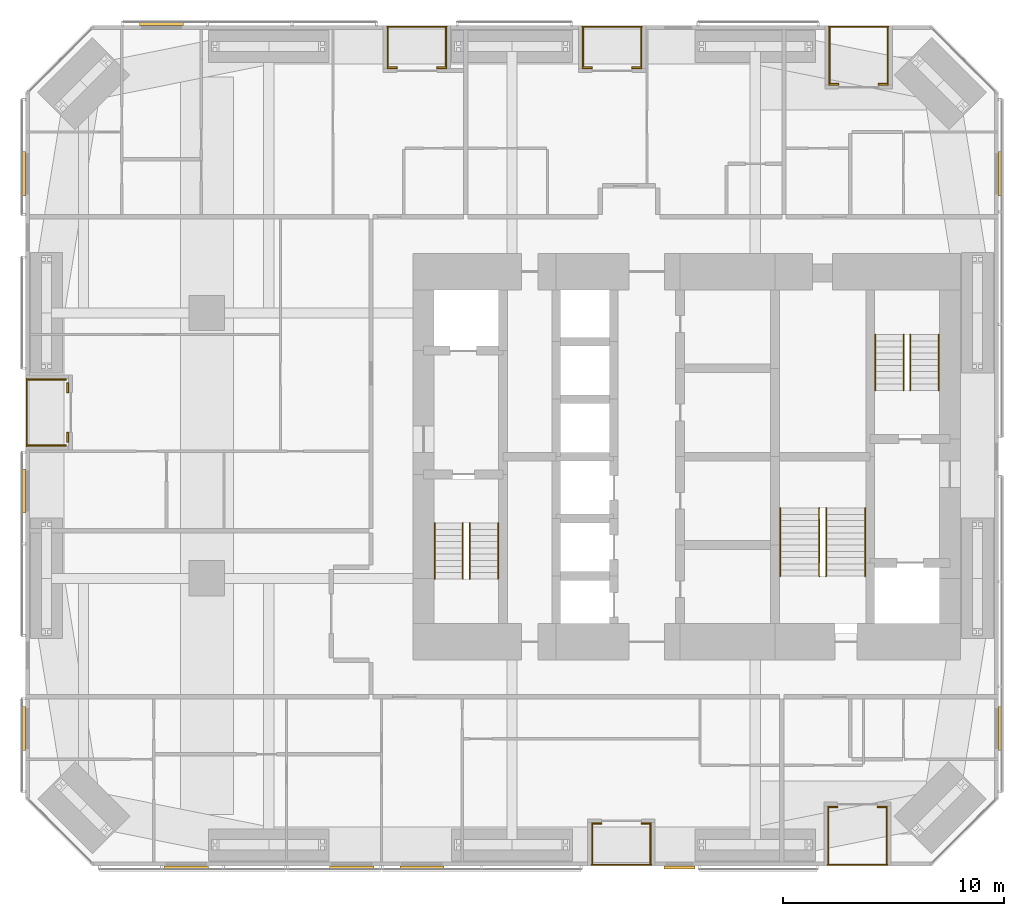
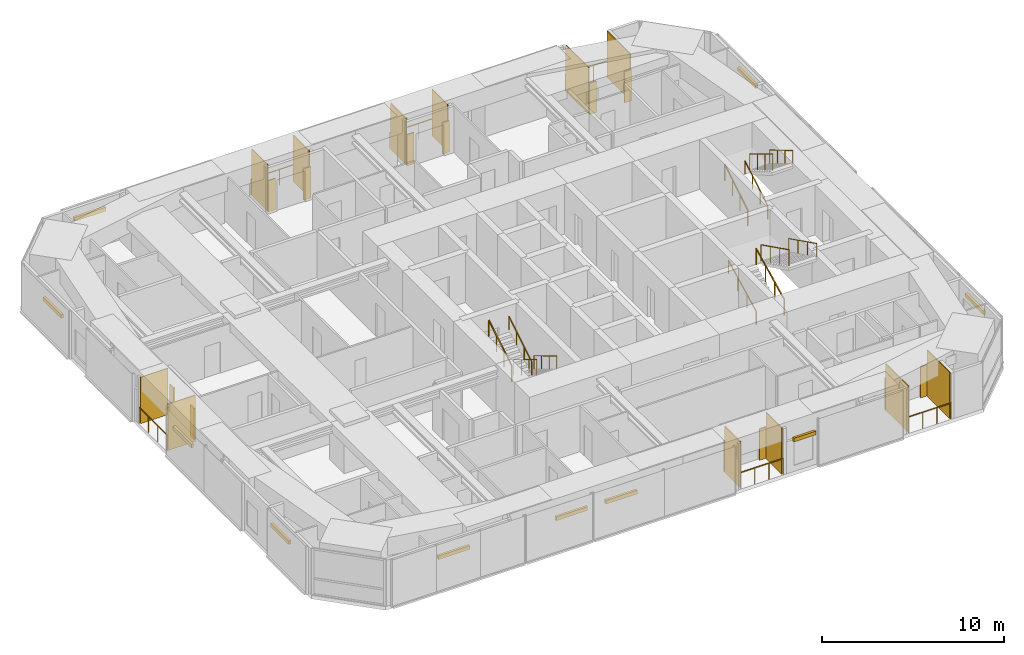
# One storey, part 24 of 24: 34 shading devices, 18 railings.
"""IFC4 building model written with IfcOpenShell, lengths in metres."""

from ifc_helpers import new_model, si_unit, direction, frame, origin, origin_2d, place, context, subcontext, project, spatial, rectangle, circle, extrude, material, layer, layer_set, constituent, constituent_set, type_object, element, save


model = new_model("IFC4")

# Units and contexts
model_context = context("Model", 3, precision=1e-05, world=origin(), true_north=direction((0.0, 1.0)))
body_context = subcontext(model_context, "Body", "Model", "MODEL_VIEW")
ifc_project = project(units=[si_unit("LENGTHUNIT", "METRE"), si_unit("AREAUNIT", "SQUARE_METRE"), si_unit("VOLUMEUNIT", "CUBIC_METRE"), si_unit("PLANEANGLEUNIT", "RADIAN"), si_unit("MASSUNIT", "GRAM", prefix="KILO")], contexts=[model_context])

# Site, building, storey
site_placement = place(None, origin())
site = spatial("IfcSite", under=ifc_project, at=site_placement, CompositionType="ELEMENT")
building_placement = place(site_placement, origin())
building = spatial("IfcBuilding", under=site, at=building_placement, Name="Jalousie Tower", CompositionType="ELEMENT")
storey_placement = place(building_placement, frame((0.0, 0.0, 44.449951171875)))
storey = spatial("IfcBuildingStorey", under=building, at=storey_placement, Name="L11", CompositionType="ELEMENT", Elevation=44.449951171875)

# Shading devices
ifc_material_1 = material(Name="Aluminium impact-rated louvred storm shutter", Category="aluminium")
shading_device_type_1 = type_object("IfcShadingDeviceType", Name="BI-FOLD STORM SHUTTER 900x2100", PredefinedType="SHUTTER", material=ifc_material_1)
for number, where, z_axis, x_axis, name in (
    (1, (27.824951171875, 1.909912109375, 0.0), (0.0, 0.0, 1.0), (1.0, 0.0, 0.0), "Loggia storm shutter L11"),
    (2, (30.074951171875, 1.909912109375, 0.0), (0.0, 0.0, 1.0), (1.0, 0.0, 0.0), "Loggia storm shutter L11"),
    (3, (38.5, 2.659912109375, 0.0), (0.0, 0.0, 1.0), (1.0, 0.0, 0.0), "Loggia storm shutter L11"),
    (4, (40.75, 2.659912109375, 0.0), (0.0, 0.0, 1.0), (1.0, 0.0, 0.0), "Loggia storm shutter L11"),
    (5, (40.798583984375, 35.340087890625, 0.0), (0.0, 0.0, 1.0), (-1.0, 0.0, 0.0), "Loggia storm shutter L11"),
    (6, (38.548583984375, 35.340087890625, 0.0), (0.0, 0.0, 1.0), (-1.0, 0.0, 0.0), "Loggia storm shutter L11"),
    (7, (29.64990234375, 36.090087890625, 0.0), (0.0, 0.0, 1.0), (-1.0, 0.0, 0.0), "Loggia storm shutter L11"),
    (8, (27.39990234375, 36.090087890625, 0.0), (0.0, 0.0, 1.0), (-1.0, 0.0, 0.0), "Loggia storm shutter L11"),
    (9, (20.824951171875, 36.090087890625, 0.0), (0.0, 0.0, 1.0), (-1.0, 0.0, 0.0), "Loggia storm shutter L11"),
    (10, (18.574951171875, 36.090087890625, 0.0), (0.0, 0.0, 1.0), (-1.0, 0.0, 0.0), "Loggia storm shutter L11"),
    (11, (3.909912109375, 21.625, 0.0), (0.0, 0.0, 1.0), (0.0, -1.0, 0.0), "Loggia storm shutter L11"),
    (12, (3.909912109375, 19.375, 0.0), (0.0, 0.0, 1.0), (0.0, -1.0, 0.0), "Loggia storm shutter L11"),
):
    element("IfcShadingDevice", number, at=place(storey_placement, frame(where, z_axis=z_axis, x_axis=x_axis)), inside=storey, type_object=shading_device_type_1, Name=name, PredefinedType="SHUTTER", context=body_context, shape_type="SweptSolid", body=[
        extrude(rectangle(XDim=0.449951171875, YDim=0.080078125, at=origin_2d()), origin(), (0.0, 0.0, 1.0), 2.10009765625),
    ])

# Railings
ifc_material_2 = material(Name="Powder-coated aluminium fretwork", Category="aluminium")
railing_type_1 = type_object("IfcRailingType", Name="FRETWORK BALUSTRADE 1100", PredefinedType="BALUSTRADE", material=ifc_material_2)
railing_1_placement = place(storey_placement, frame((27.60009765625, 0.050048828125, 0.0)))
element("IfcRailing", 13, at=railing_1_placement, inside=storey, type_object=railing_type_1, Name="Loggia fretwork balustrade L11", PredefinedType="BALUSTRADE", context=body_context, shape_type="SweptSolid", body=[
    extrude(rectangle(XDim=0.048095703125, YDim=0.048095703125, at=origin_2d()), frame((0.0, 0.0, 1.076171875), z_axis=(1.0, 0.0, 0.0), x_axis=(0.0, 1.0, 0.0)), (0.0, 0.0, 1.0), 2.699951171875),
    extrude(circle(Radius=0.02099609375, at=origin_2d()), origin(), (0.0, 0.0, 1.0), 1.052001953125),
    extrude(circle(Radius=0.02099609375, at=origin_2d()), frame((0.89990234375, 0.0, 0.0)), (0.0, 0.0, 1.0), 1.052001953125),
    extrude(circle(Radius=0.02099609375, at=origin_2d()), frame((1.800048828125, 0.0, 0.0)), (0.0, 0.0, 1.0), 1.052001953125),
    extrude(circle(Radius=0.02099609375, at=origin_2d()), frame((2.699951171875, 0.0, 0.0)), (0.0, 0.0, 1.0), 1.052001953125),
])
railing_2_placement = place(storey_placement, frame((38.27490234375, 0.050048828125, 0.0)))
element("IfcRailing", 14, at=railing_2_placement, inside=storey, type_object=railing_type_1, Name="Loggia fretwork balustrade L11", PredefinedType="BALUSTRADE", context=body_context, shape_type="SweptSolid", body=[
    extrude(rectangle(XDim=0.048095703125, YDim=0.048095703125, at=origin_2d()), frame((0.0, 0.0, 1.076171875), z_axis=(1.0, 0.0, 0.0), x_axis=(0.0, 1.0, 0.0)), (0.0, 0.0, 1.0), 2.7001953125),
    extrude(circle(Radius=0.02099609375, at=origin_2d()), origin(), (0.0, 0.0, 1.0), 1.052001953125),
    extrude(circle(Radius=0.02099609375, at=origin_2d()), frame((0.900146484375, 0.0, 0.0)), (0.0, 0.0, 1.0), 1.052001953125),
    extrude(circle(Radius=0.02099609375, at=origin_2d()), frame((1.800048828125, 0.0, 0.0)), (0.0, 0.0, 1.0), 1.052001953125),
    extrude(circle(Radius=0.02099609375, at=origin_2d()), frame((2.7001953125, 0.0, 0.0)), (0.0, 0.0, 1.0), 1.052001953125),
])
for number, where, name in (
    (15, (41.023681640625, 37.949951171875, 0.0), "Loggia fretwork balustrade L11"),
    (16, (29.875, 37.949951171875, 0.0), "Loggia fretwork balustrade L11"),
    (17, (21.050048828125, 37.949951171875, 0.0), "Loggia fretwork balustrade L11"),
):
    element("IfcRailing", number, at=place(storey_placement, frame(where)), inside=storey, type_object=railing_type_1, Name=name, PredefinedType="BALUSTRADE", context=body_context, shape_type="SweptSolid", body=[
        extrude(rectangle(XDim=0.048095703125, YDim=0.048095703125, at=origin_2d()), frame((0.0, 0.0, 1.076171875), z_axis=(-1.0, 0.0, 0.0), x_axis=(0.0, -1.0, 0.0)), (0.0, 0.0, 1.0), 2.699951171875),
        extrude(circle(Radius=0.02099609375, at=origin_2d()), origin(), (0.0, 0.0, 1.0), 1.052001953125),
        extrude(circle(Radius=0.02099609375, at=origin_2d()), frame((-0.89990234375, 0.0, 0.0)), (0.0, 0.0, 1.0), 1.052001953125),
        extrude(circle(Radius=0.02099609375, at=origin_2d()), frame((-1.800048828125, 0.0, 0.0)), (0.0, 0.0, 1.0), 1.052001953125),
        extrude(circle(Radius=0.02099609375, at=origin_2d()), frame((-2.699951171875, 0.0, 0.0)), (0.0, 0.0, 1.0), 1.052001953125),
    ])
railing_3_placement = place(storey_placement, frame((2.050048828125, 22.02490234375, 0.0)))
element("IfcRailing", 18, at=railing_3_placement, inside=storey, type_object=railing_type_1, Name="Loggia fretwork balustrade L11", PredefinedType="BALUSTRADE", context=body_context, shape_type="SweptSolid", body=[
    extrude(rectangle(XDim=0.048095703125, YDim=0.048095703125, at=origin_2d()), frame((0.0, 0.0, 1.076171875), z_axis=(0.0, -1.0, 0.0), x_axis=(1.0, 0.0, 0.0)), (0.0, 0.0, 1.0), 3.0498046875),
    extrude(circle(Radius=0.02099609375, at=origin_2d()), origin(), (0.0, 0.0, 1.0), 1.052001953125),
    extrude(circle(Radius=0.02099609375, at=origin_2d()), frame((0.0, -1.0166015625, 0.0)), (0.0, 0.0, 1.0), 1.052001953125),
    extrude(circle(Radius=0.02099609375, at=origin_2d()), frame((0.0, -2.033203125, 0.0)), (0.0, 0.0, 1.0), 1.052001953125),
    extrude(circle(Radius=0.02099609375, at=origin_2d()), frame((0.0, -3.0498046875, 0.0)), (0.0, 0.0, 1.0), 1.052001953125),
])

# Shading devices
ifc_material_3 = material(Name="Powder-coated aluminium louvres", Category="aluminium")
ifc_layer = layer(ifc_material_3, 0.06005859375)
ifc_layer_set = layer_set([ifc_layer], Name="Powder-coated aluminium louvres")
shading_device_type_2 = type_object("IfcShadingDeviceType", Name="JALOUSIE LOUVRE SCREEN", PredefinedType="JALOUSIE", material=ifc_layer_set)
for number, where, z_axis, x_axis, name in (
    (19, (27.6298828125, 0.97509765625, 0.0), (0.0, 0.0, 1.0), (1.0, 0.0, 0.0), "Loggia jalousie louvre screen L11"),
    (20, (30.27001953125, 0.97509765625, 0.0), (0.0, 0.0, 1.0), (1.0, 0.0, 0.0), "Loggia jalousie louvre screen L11"),
):
    element("IfcShadingDevice", number, at=place(storey_placement, frame(where, z_axis=z_axis, x_axis=x_axis)), inside=storey, type_object=shading_device_type_2, Name=name, PredefinedType="JALOUSIE", context=body_context, shape_type="SweptSolid", body=[
        extrude(rectangle(XDim=0.06005859375, YDim=1.75, at=origin_2d()), origin(), (0.0, 0.0, 1.0), 3.110107421875),
    ])
for number, where, z_axis, x_axis, name in (
    (21, (38.304931640625, 1.35009765625, 0.0), (0.0, 0.0, 1.0), (1.0, 0.0, 0.0), "Loggia jalousie louvre screen L11"),
    (22, (40.945068359375, 1.35009765625, 0.0), (0.0, 0.0, 1.0), (1.0, 0.0, 0.0), "Loggia jalousie louvre screen L11"),
    (23, (40.99365234375, 36.64990234375, 0.0), (0.0, 0.0, 1.0), (-1.0, 0.0, 0.0), "Loggia jalousie louvre screen L11"),
    (24, (38.353759765625, 36.64990234375, 0.0), (0.0, 0.0, 1.0), (-1.0, 0.0, 0.0), "Loggia jalousie louvre screen L11"),
):
    element("IfcShadingDevice", number, at=place(storey_placement, frame(where, z_axis=z_axis, x_axis=x_axis)), inside=storey, type_object=shading_device_type_2, Name=name, PredefinedType="JALOUSIE", context=body_context, shape_type="SweptSolid", body=[
        extrude(rectangle(XDim=0.06005859375, YDim=2.5, at=origin_2d()), origin(), (0.0, 0.0, 1.0), 3.110107421875),
    ])
for number, where, z_axis, x_axis, name in (
    (25, (29.844970703125, 37.02490234375, 0.0), (0.0, 0.0, 1.0), (-1.0, 0.0, 0.0), "Loggia jalousie louvre screen L11"),
    (26, (27.205078125, 37.02490234375, 0.0), (0.0, 0.0, 1.0), (-1.0, 0.0, 0.0), "Loggia jalousie louvre screen L11"),
    (27, (21.02001953125, 37.02490234375, 0.0), (0.0, 0.0, 1.0), (-1.0, 0.0, 0.0), "Loggia jalousie louvre screen L11"),
    (28, (18.3798828125, 37.02490234375, 0.0), (0.0, 0.0, 1.0), (-1.0, 0.0, 0.0), "Loggia jalousie louvre screen L11"),
    (29, (2.97509765625, 21.9951171875, 0.0), (0.0, 0.0, 1.0), (0.0, -1.0, 0.0), "Loggia jalousie louvre screen L11"),
    (30, (2.97509765625, 19.0048828125, 0.0), (0.0, 0.0, 1.0), (0.0, -1.0, 0.0), "Loggia jalousie louvre screen L11"),
):
    element("IfcShadingDevice", number, at=place(storey_placement, frame(where, z_axis=z_axis, x_axis=x_axis)), inside=storey, type_object=shading_device_type_2, Name=name, PredefinedType="JALOUSIE", context=body_context, shape_type="SweptSolid", body=[
        extrude(rectangle(XDim=0.06005859375, YDim=1.75, at=origin_2d()), origin(), (0.0, 0.0, 1.0), 3.110107421875),
    ])

# Railings
ifc_material_4 = material(Name="Steel ASTM A500 Grade C", Category="steel")
ifc_constituent_1 = constituent(ifc_material_4, Name="Body")
ifc_material_5 = material(Name="Hot-dip galvanised zinc coating")
ifc_constituent_2 = constituent(ifc_material_5, Name="Finish")
ifc_constituent_set_1 = constituent_set(constituents=[ifc_constituent_1, ifc_constituent_2])
railing_type_2 = type_object("IfcRailingType", Name="STAIR GUARD 1100", PredefinedType="GUARDRAIL", material=ifc_constituent_set_1)
railing_4_placement = place(storey_placement, frame((22.092529296875, 15.49755859375, 0.16748046875)))
element("IfcRailing", 31, at=railing_4_placement, inside=storey, type_object=railing_type_2, Name="Exit stair A guard L11 flight 1", PredefinedType="GUARDRAIL", context=body_context, shape_type="SweptSolid", body=[
    extrude(rectangle(XDim=0.048095703125, YDim=0.048095703125, at=origin_2d()), frame((0.0, 0.0, 1.076171875), z_axis=(0.0, -0.858159760407, 0.513382728203), x_axis=(1.0, 0.0, 0.0)), (0.0, 0.0, 1.0), 2.9365234375),
    extrude(circle(Radius=0.02099609375, at=origin_2d()), origin(), (0.0, 0.0, 1.0), 1.052001953125),
    extrude(circle(Radius=0.02099609375, at=origin_2d()), frame((0.0, -0.840087890625, 0.50244140625)), (0.0, 0.0, 1.0), 1.052001953125),
    extrude(circle(Radius=0.02099609375, at=origin_2d()), frame((0.0, -1.679931640625, 1.005126953125)), (0.0, 0.0, 1.0), 1.052001953125),
    extrude(circle(Radius=0.02099609375, at=origin_2d()), frame((0.0, -2.52001953125, 1.507568359375)), (0.0, 0.0, 1.0), 1.052001953125),
])
for number, where, name in (
    (32, (20.5048828125, 12.9775390625, 1.842529296875), "Exit stair A guard L11 flight 2"),
    (33, (40.43017578125, 21.50244140625, 0.16748046875), "Exit stair B guard L11 flight 1"),
):
    element("IfcRailing", number, at=place(storey_placement, frame(where)), inside=storey, type_object=railing_type_2, Name=name, PredefinedType="GUARDRAIL", context=body_context, shape_type="SweptSolid", body=[
        extrude(rectangle(XDim=0.048095703125, YDim=0.048095703125, at=origin_2d()), frame((0.0, 0.0, 1.076171875), z_axis=(0.0, 0.858159760407, 0.513382728203), x_axis=(-1.0, 0.0, 0.0)), (0.0, 0.0, 1.0), 2.9365234375),
        extrude(circle(Radius=0.02099609375, at=origin_2d()), origin(), (0.0, 0.0, 1.0), 1.052001953125),
        extrude(circle(Radius=0.02099609375, at=origin_2d()), frame((0.0, 0.840087890625, 0.50244140625)), (0.0, 0.0, 1.0), 1.052001953125),
        extrude(circle(Radius=0.02099609375, at=origin_2d()), frame((0.0, 1.679931640625, 1.005126953125)), (0.0, 0.0, 1.0), 1.052001953125),
        extrude(circle(Radius=0.02099609375, at=origin_2d()), frame((0.0, 2.52001953125, 1.507568359375)), (0.0, 0.0, 1.0), 1.052001953125),
    ])
railing_5_placement = place(storey_placement, frame((42.017578125, 24.0224609375, 1.842529296875)))
element("IfcRailing", 34, at=railing_5_placement, inside=storey, type_object=railing_type_2, Name="Exit stair B guard L11 flight 2", PredefinedType="GUARDRAIL", context=body_context, shape_type="SweptSolid", body=[
    extrude(rectangle(XDim=0.048095703125, YDim=0.048095703125, at=origin_2d()), frame((0.0, 0.0, 1.076171875), z_axis=(0.0, -0.858159760407, 0.513382728203), x_axis=(1.0, 0.0, 0.0)), (0.0, 0.0, 1.0), 2.9365234375),
    extrude(circle(Radius=0.02099609375, at=origin_2d()), origin(), (0.0, 0.0, 1.0), 1.052001953125),
    extrude(circle(Radius=0.02099609375, at=origin_2d()), frame((0.0, -0.840087890625, 0.50244140625)), (0.0, 0.0, 1.0), 1.052001953125),
    extrude(circle(Radius=0.02099609375, at=origin_2d()), frame((0.0, -1.679931640625, 1.005126953125)), (0.0, 0.0, 1.0), 1.052001953125),
    extrude(circle(Radius=0.02099609375, at=origin_2d()), frame((0.0, -2.52001953125, 1.507568359375)), (0.0, 0.0, 1.0), 1.052001953125),
])
railing_6_placement = place(storey_placement, frame((37.89501953125, 13.097412109375, 0.1396484375)))
element("IfcRailing", 35, at=railing_6_placement, inside=storey, type_object=railing_type_2, Name="Exit stair C guard L11 flight 1", PredefinedType="GUARDRAIL", context=body_context, shape_type="SweptSolid", body=[
    extrude(rectangle(XDim=0.048095703125, YDim=0.048095703125, at=origin_2d()), frame((0.0, 0.0, 1.076171875), z_axis=(0.0, 0.894965676997, 0.446134998624), x_axis=(-1.0, 0.0, 0.0)), (0.0, 0.0, 1.0), 3.441650390625),
    extrude(circle(Radius=0.02099609375, at=origin_2d()), origin(), (0.0, 0.0, 1.0), 1.052001953125),
    extrude(circle(Radius=0.02099609375, at=origin_2d()), frame((0.0, 1.026611328125, 0.51171875)), (0.0, 0.0, 1.0), 1.052001953125),
    extrude(circle(Radius=0.02099609375, at=origin_2d()), frame((0.0, 2.053466796875, 1.023681640625)), (0.0, 0.0, 1.0), 1.052001953125),
    extrude(circle(Radius=0.02099609375, at=origin_2d()), frame((0.0, 3.080078125, 1.535400390625)), (0.0, 0.0, 1.0), 1.052001953125),
])
railing_7_placement = place(storey_placement, frame((38.205078125, 16.177490234375, 1.814697265625)))
element("IfcRailing", 36, at=railing_7_placement, inside=storey, type_object=railing_type_2, Name="Exit stair C guard L11 flight 2", PredefinedType="GUARDRAIL", context=body_context, shape_type="SweptSolid", body=[
    extrude(rectangle(XDim=0.048095703125, YDim=0.048095703125, at=origin_2d()), frame((0.0, 0.0, 1.076171875), z_axis=(0.0, -0.894965676997, 0.446134998624), x_axis=(1.0, 0.0, 0.0)), (0.0, 0.0, 1.0), 3.441650390625),
    extrude(circle(Radius=0.02099609375, at=origin_2d()), origin(), (0.0, 0.0, 1.0), 1.052001953125),
    extrude(circle(Radius=0.02099609375, at=origin_2d()), frame((0.0, -1.026611328125, 0.51171875)), (0.0, 0.0, 1.0), 1.052001953125),
    extrude(circle(Radius=0.02099609375, at=origin_2d()), frame((0.0, -2.053466796875, 1.023681640625)), (0.0, 0.0, 1.0), 1.052001953125),
    extrude(circle(Radius=0.02099609375, at=origin_2d()), frame((0.0, -3.080078125, 1.535400390625)), (0.0, 0.0, 1.0), 1.052001953125),
])
ifc_material_6 = material(Name="Steel ASTM A500 Grade C", Category="steel")
ifc_constituent_3 = constituent(ifc_material_6, Name="Body")
ifc_material_7 = material(Name="Hot-dip galvanised zinc coating")
ifc_constituent_4 = constituent(ifc_material_7, Name="Finish")
ifc_constituent_set_2 = constituent_set(constituents=[ifc_constituent_3, ifc_constituent_4])
railing_type_3 = type_object("IfcRailingType", Name="STAIR HANDRAIL 900", PredefinedType="HANDRAIL", material=ifc_constituent_set_2)
railing_8_placement = place(storey_placement, frame((23.3701171875, 15.49755859375, 0.16748046875)))
element("IfcRailing", 37, at=railing_8_placement, inside=storey, type_object=railing_type_3, Name="Exit stair A handrail L11 flight 1", PredefinedType="HANDRAIL", context=body_context, shape_type="SweptSolid", body=[
    extrude(circle(Radius=0.02392578125, at=origin_2d()), frame((0.0, 0.0, 0.8759765625), z_axis=(0.0, -0.858159760407, 0.513382728203), x_axis=(1.0, 0.0, 0.0)), (0.0, 0.0, 1.0), 2.9365234375),
    extrude(circle(Radius=0.02099609375, at=origin_2d()), origin(), (0.0, 0.0, 1.0), 0.851806640625),
    extrude(circle(Radius=0.02099609375, at=origin_2d()), frame((0.0, -0.840087890625, 0.50244140625)), (0.0, 0.0, 1.0), 0.851806640625),
    extrude(circle(Radius=0.02099609375, at=origin_2d()), frame((0.0, -1.679931640625, 1.005126953125)), (0.0, 0.0, 1.0), 0.851806640625),
    extrude(circle(Radius=0.02099609375, at=origin_2d()), frame((0.0, -2.52001953125, 1.507568359375)), (0.0, 0.0, 1.0), 0.851806640625),
])
for number, where, name in (
    (38, (21.78271484375, 12.9775390625, 1.842529296875), "Exit stair A handrail L11 flight 2"),
    (39, (41.70751953125, 21.50244140625, 0.16748046875), "Exit stair B handrail L11 flight 1"),
):
    element("IfcRailing", number, at=place(storey_placement, frame(where)), inside=storey, type_object=railing_type_3, Name=name, PredefinedType="HANDRAIL", context=body_context, shape_type="SweptSolid", body=[
        extrude(circle(Radius=0.02392578125, at=origin_2d()), frame((0.0, 0.0, 0.8759765625), z_axis=(0.0, 0.858159760407, 0.513382728203), x_axis=(-1.0, 0.0, 0.0)), (0.0, 0.0, 1.0), 2.9365234375),
        extrude(circle(Radius=0.02099609375, at=origin_2d()), origin(), (0.0, 0.0, 1.0), 0.851806640625),
        extrude(circle(Radius=0.02099609375, at=origin_2d()), frame((0.0, 0.840087890625, 0.50244140625)), (0.0, 0.0, 1.0), 0.851806640625),
        extrude(circle(Radius=0.02099609375, at=origin_2d()), frame((0.0, 1.679931640625, 1.005126953125)), (0.0, 0.0, 1.0), 0.851806640625),
        extrude(circle(Radius=0.02099609375, at=origin_2d()), frame((0.0, 2.52001953125, 1.507568359375)), (0.0, 0.0, 1.0), 0.851806640625),
    ])
railing_9_placement = place(storey_placement, frame((43.294921875, 24.0224609375, 1.842529296875)))
element("IfcRailing", 40, at=railing_9_placement, inside=storey, type_object=railing_type_3, Name="Exit stair B handrail L11 flight 2", PredefinedType="HANDRAIL", context=body_context, shape_type="SweptSolid", body=[
    extrude(circle(Radius=0.02392578125, at=origin_2d()), frame((0.0, 0.0, 0.8759765625), z_axis=(0.0, -0.858159760407, 0.513382728203), x_axis=(1.0, 0.0, 0.0)), (0.0, 0.0, 1.0), 2.9365234375),
    extrude(circle(Radius=0.02099609375, at=origin_2d()), origin(), (0.0, 0.0, 1.0), 0.851806640625),
    extrude(circle(Radius=0.02099609375, at=origin_2d()), frame((0.0, -0.840087890625, 0.50244140625)), (0.0, 0.0, 1.0), 0.851806640625),
    extrude(circle(Radius=0.02099609375, at=origin_2d()), frame((0.0, -1.679931640625, 1.005126953125)), (0.0, 0.0, 1.0), 0.851806640625),
    extrude(circle(Radius=0.02099609375, at=origin_2d()), frame((0.0, -2.52001953125, 1.507568359375)), (0.0, 0.0, 1.0), 0.851806640625),
])
railing_10_placement = place(storey_placement, frame((36.1298828125, 13.097412109375, 0.1396484375)))
element("IfcRailing", 41, at=railing_10_placement, inside=storey, type_object=railing_type_3, Name="Exit stair C handrail L11 flight 1", PredefinedType="HANDRAIL", context=body_context, shape_type="SweptSolid", body=[
    extrude(circle(Radius=0.02392578125, at=origin_2d()), frame((0.0, 0.0, 0.8759765625), z_axis=(0.0, 0.894965676997, 0.446134998624), x_axis=(-1.0, 0.0, 0.0)), (0.0, 0.0, 1.0), 3.441650390625),
    extrude(circle(Radius=0.02099609375, at=origin_2d()), origin(), (0.0, 0.0, 1.0), 0.851806640625),
    extrude(circle(Radius=0.02099609375, at=origin_2d()), frame((0.0, 1.026611328125, 0.51171875)), (0.0, 0.0, 1.0), 0.851806640625),
    extrude(circle(Radius=0.02099609375, at=origin_2d()), frame((0.0, 2.053466796875, 1.023681640625)), (0.0, 0.0, 1.0), 0.851806640625),
    extrude(circle(Radius=0.02099609375, at=origin_2d()), frame((0.0, 3.080078125, 1.535400390625)), (0.0, 0.0, 1.0), 0.851806640625),
])
railing_11_placement = place(storey_placement, frame((39.969970703125, 16.177490234375, 1.814697265625)))
element("IfcRailing", 42, at=railing_11_placement, inside=storey, type_object=railing_type_3, Name="Exit stair C handrail L11 flight 2", PredefinedType="HANDRAIL", context=body_context, shape_type="SweptSolid", body=[
    extrude(circle(Radius=0.02392578125, at=origin_2d()), frame((0.0, 0.0, 0.8759765625), z_axis=(0.0, -0.894965676997, 0.446134998624), x_axis=(1.0, 0.0, 0.0)), (0.0, 0.0, 1.0), 3.441650390625),
    extrude(circle(Radius=0.02099609375, at=origin_2d()), origin(), (0.0, 0.0, 1.0), 0.851806640625),
    extrude(circle(Radius=0.02099609375, at=origin_2d()), frame((0.0, -1.026611328125, 0.51171875)), (0.0, 0.0, 1.0), 0.851806640625),
    extrude(circle(Radius=0.02099609375, at=origin_2d()), frame((0.0, -2.053466796875, 1.023681640625)), (0.0, 0.0, 1.0), 0.851806640625),
    extrude(circle(Radius=0.02099609375, at=origin_2d()), frame((0.0, -3.080078125, 1.535400390625)), (0.0, 0.0, 1.0), 0.851806640625),
])

# Shading devices
ifc_material_8 = material(Name="Aluminium roller storm shutter", Category="aluminium")
shading_device_type_3 = type_object("IfcShadingDeviceType", Name="STORM SHUTTER HOUSING", PredefinedType="SHUTTER", material=ifc_material_8)
for number, where, z_axis, x_axis, name in (
    (43, (9.27001953125, -0.074951171875, 2.10009765625), (0.0, 0.0, 1.0), (1.0, 0.0, 0.0), "Storm shutter L11"),
    (44, (16.757568359375, -0.074951171875, 2.10009765625), (0.0, 0.0, 1.0), (1.0, 0.0, 0.0), "Storm shutter L11"),
    (45, (19.925048828125, -0.074951171875, 2.10009765625), (0.0, 0.0, 1.0), (1.0, 0.0, 0.0), "Storm shutter L11"),
):
    element("IfcShadingDevice", number, at=place(storey_placement, frame(where, z_axis=z_axis, x_axis=x_axis)), inside=storey, type_object=shading_device_type_3, Name=name, PredefinedType="SHUTTER", context=body_context, shape_type="SweptSolid", body=[
        extrude(rectangle(XDim=2.0, YDim=0.14990234375, at=origin_2d()), origin(), (0.0, 0.0, 1.0), 0.25),
    ])
shading_device_placement = place(storey_placement, frame((31.56787109375, -0.074951171875, 2.10009765625), z_axis=(0.0, 0.0, 1.0), x_axis=(1.0, 0.0, 0.0)))
element("IfcShadingDevice", 46, at=shading_device_placement, inside=storey, type_object=shading_device_type_3, Name="Storm shutter L11", PredefinedType="SHUTTER", context=body_context, shape_type="SweptSolid", body=[
    extrude(rectangle(XDim=1.39990234375, YDim=0.14990234375, at=origin_2d()), origin(), (0.0, 0.0, 1.0), 0.25),
])
for number, where, z_axis, x_axis, name in (
    (47, (46.074951171875, 6.208740234375, 2.10009765625), (0.0, 0.0, 1.0), (0.0, 1.0, 0.0), "Storm shutter L11"),
    (48, (46.074951171875, 31.291259765625, 2.10009765625), (0.0, 0.0, 1.0), (0.0, 1.0, 0.0), "Storm shutter L11"),
    (49, (8.14990234375, 38.074951171875, 2.10009765625), (0.0, 0.0, 1.0), (-1.0, 0.0, 0.0), "Storm shutter L11"),
    (50, (1.925048828125, 31.291259765625, 2.10009765625), (0.0, 0.0, 1.0), (0.0, -1.0, 0.0), "Storm shutter L11"),
    (51, (1.925048828125, 16.949951171875, 2.10009765625), (0.0, 0.0, 1.0), (0.0, -1.0, 0.0), "Storm shutter L11"),
    (52, (1.925048828125, 6.208740234375, 2.10009765625), (0.0, 0.0, 1.0), (0.0, -1.0, 0.0), "Storm shutter L11"),
):
    element("IfcShadingDevice", number, at=place(storey_placement, frame(where, z_axis=z_axis, x_axis=x_axis)), inside=storey, type_object=shading_device_type_3, Name=name, PredefinedType="SHUTTER", context=body_context, shape_type="SweptSolid", body=[
        extrude(rectangle(XDim=2.0, YDim=0.14990234375, at=origin_2d()), origin(), (0.0, 0.0, 1.0), 0.25),
    ])

save(model, "model.ifc")
